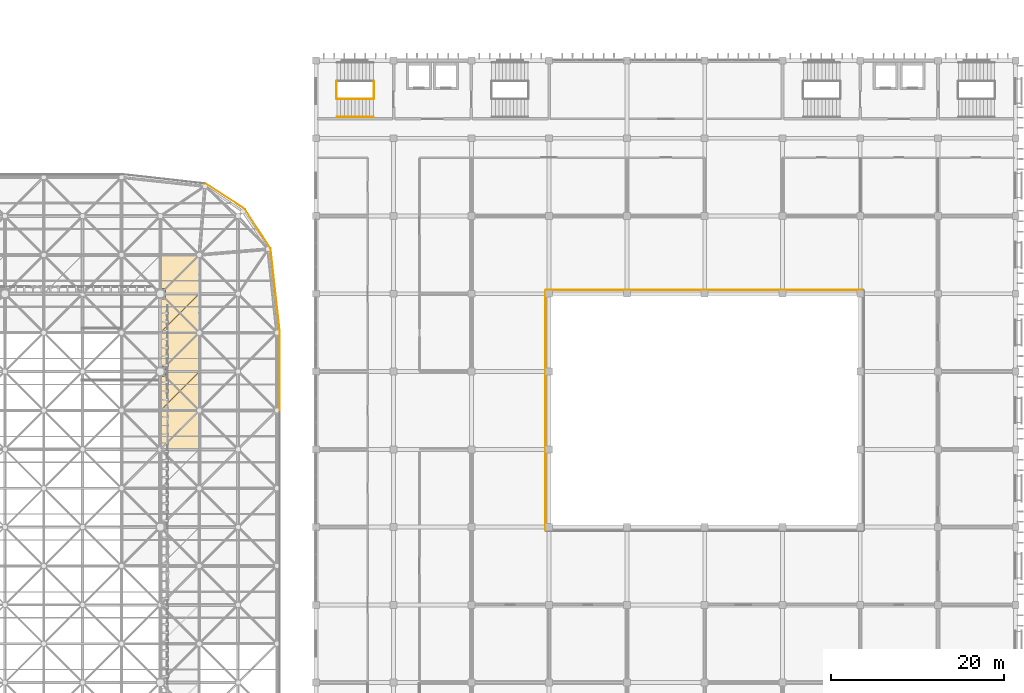
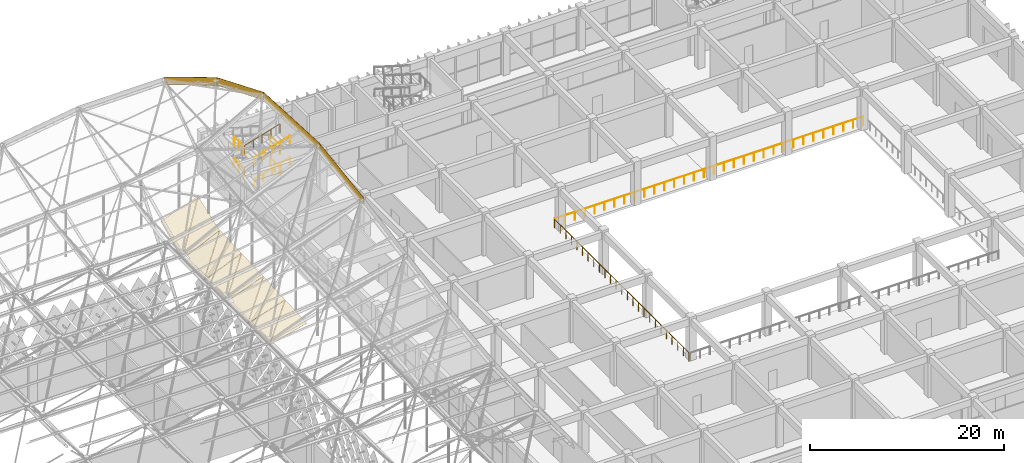
# One storey, part 431 of 437: 14 coverings, 10 railings.
"""IFC4 building model written with IfcOpenShell, lengths in metres."""

import ifcopenshell
import ifcopenshell.guid

model = None  # the IFC model being written
_history = None  # IfcOwnerHistory: only IFC2X3 demands one
_inside = {}  # id of a spatial element -> (the spatial element, [elements in it])
_under = {}  # id of a project, library or spatial element -> (it, [spatial elements below it])
_declared = {}  # id of a project -> (the project, [libraries it declares])
_typed = {}  # id of a type object -> (the type object, [elements of that type])
_made_of = {}  # id of a material, layer set ... -> (it, [elements and type objects made of it])


def new_model(schema):
    """Start an empty IFC model of exactly this schema.

    Asked for "IFC4X3", IfcOpenShell would pick the latest addendum, in which some entities
    have other attributes; the version numbers below select the first issue.
    IFC2X3 requires an IfcOwnerHistory on every rooted entity: one is made here for all.
    """
    global model, _history
    if schema == "IFC4X3":
        model = ifcopenshell.file(schema_version=(4, 3, 0, 0))
    else:
        model = ifcopenshell.file(schema=schema)
    _inside.clear()
    _under.clear()
    _declared.clear()
    _typed.clear()
    _made_of.clear()
    _history = None
    if model.schema == "IFC2X3":
        org = make("IfcOrganization", Name="unknown")
        user = make(
            "IfcPersonAndOrganization",
            ThePerson=make("IfcPerson", FamilyName="unknown"),
            TheOrganization=org,
        )
        app = make(
            "IfcApplication",
            ApplicationDeveloper=org,
            Version="unknown",
            ApplicationFullName="unknown",
            ApplicationIdentifier="unknown",
        )
        _history = make(
            "IfcOwnerHistory",
            OwningUser=user,
            OwningApplication=app,
            ChangeAction="ADDED",
            CreationDate=0,
        )
    return model


def make(cls, **values):
    """One entity of the class cls with the attributes given. An attribute that is None is left unset."""
    return model.create_entity(
        cls, **{name: value for name, value in values.items() if value is not None}
    )


def rooted(cls, **values):
    """An entity with a GlobalId (a new one), such as an element, a storey or a relation."""
    return make(cls, GlobalId=ifcopenshell.guid.new(), OwnerHistory=_history, **values)


def si_unit(unit_type, name, prefix=None):
    """IfcSIUnit, for example si_unit("LENGTHUNIT", "METRE", prefix="MILLI")."""
    return make("IfcSIUnit", UnitType=unit_type, Prefix=prefix, Name=name)


def assignment(units):
    """IfcUnitAssignment: the units of a project."""
    return None if units is None else make("IfcUnitAssignment", Units=units)


def point(xyz):
    """IfcCartesianPoint."""
    return None if xyz is None else make("IfcCartesianPoint", Coordinates=xyz)


def direction(xyz):
    """IfcDirection."""
    return None if xyz is None else make("IfcDirection", DirectionRatios=xyz)


def frame(location, z_axis=None, x_axis=None):
    """IfcAxis2Placement3D, a coordinate frame: its origin and axes. An axis left out is left unset."""
    return make(
        "IfcAxis2Placement3D",
        Location=point(location),
        Axis=direction(z_axis),
        RefDirection=direction(x_axis),
    )


def frame_2d(location, x_axis=None):
    """IfcAxis2Placement2D, a coordinate frame in the plane: its origin and x axis."""
    return make(
        "IfcAxis2Placement2D", Location=point(location), RefDirection=direction(x_axis)
    )


def origin():
    """The frame at (0, 0, 0) with its axes left unset."""
    return frame((0.0, 0.0, 0.0))


def origin_2d():
    """The frame at (0, 0) in the plane with its x axis left unset."""
    return frame_2d((0.0, 0.0))


def place(relative_to, where):
    """IfcLocalPlacement: puts the frame where relative to a parent placement (None: the world)."""
    return make(
        "IfcLocalPlacement", PlacementRelTo=relative_to, RelativePlacement=where
    )


def context(
    kind, dimensions, precision=None, world=None, true_north=None, identifier=None
):
    """IfcGeometricRepresentationContext, for example the 3D "Model" context."""
    return make(
        "IfcGeometricRepresentationContext",
        ContextIdentifier=identifier,
        ContextType=kind,
        CoordinateSpaceDimension=dimensions,
        Precision=precision,
        WorldCoordinateSystem=world,
        TrueNorth=true_north,
    )


def subcontext(parent, identifier, kind, view, scale=None):
    """IfcGeometricRepresentationSubContext, for example "Body" below "Model"."""
    return make(
        "IfcGeometricRepresentationSubContext",
        ContextIdentifier=identifier,
        ContextType=kind,
        ParentContext=parent,
        TargetScale=scale,
        TargetView=view,
    )


def project(units=None, contexts=None):
    """IfcProject with its units and contexts."""
    return rooted(
        "IfcProject",
        Name="project",
        RepresentationContexts=contexts,
        UnitsInContext=assignment(units),
    )


def spatial(cls, under=None, at=None, **own):
    """A site, building, storey or space (cls), placed at a placement, below another one or the project."""
    s = rooted(cls, ObjectPlacement=at, **own)
    if under is not None:
        _under.setdefault(under.id(), (under, []))[1].append(s)
    return s


def polyline(points):
    """IfcPolyline through the points."""
    return make("IfcPolyline", Points=[point(p) for p in points])


def profile(cls, at=None, kind="AREA", **sizes):
    """A parametric profile (cls). Its sizes go by their IFC names, for example OverallWidth=200.0."""
    return make(cls, ProfileType=kind, Position=at, **sizes)


def circle(**sizes):
    """IfcCircleProfileDef."""
    return profile("IfcCircleProfileDef", **sizes)


def outline(outer, holes=None, kind="AREA"):
    """IfcArbitraryClosedProfileDef: a profile drawn as a closed curve; with holes, ...WithVoids."""
    if holes is None:
        return make("IfcArbitraryClosedProfileDef", ProfileType=kind, OuterCurve=outer)
    return make(
        "IfcArbitraryProfileDefWithVoids",
        ProfileType=kind,
        OuterCurve=outer,
        InnerCurves=holes,
    )


def extrude(swept, where, along, depth):
    """IfcExtrudedAreaSolid: the profile swept, set in the frame where, extruded along a direction by depth."""
    return make(
        "IfcExtrudedAreaSolid",
        SweptArea=swept,
        Position=where,
        ExtrudedDirection=direction(along),
        Depth=depth,
    )


def shape(context_of_items, identifier, shape_type, items):
    """IfcShapeRepresentation: the items that make up one representation, for example the "Body"."""
    return make(
        "IfcShapeRepresentation",
        ContextOfItems=context_of_items,
        RepresentationIdentifier=identifier,
        RepresentationType=shape_type,
        Items=items,
    )


def material(Name=None, Category=None):
    """IfcMaterial."""
    return make("IfcMaterial", Name=Name, Category=Category)


def layer(
    of_material, thickness, ventilated=None, Name=None, Category=None, Priority=None
):
    """IfcMaterialLayer: one layer of a wall or slab, of a material (None: an air gap)."""
    return make(
        "IfcMaterialLayer",
        Material=of_material,
        LayerThickness=thickness,
        IsVentilated=ventilated,
        Name=Name,
        Category=Category,
        Priority=Priority,
    )


def layer_set(layers, Name=None):
    """IfcMaterialLayerSet."""
    return make("IfcMaterialLayerSet", MaterialLayers=layers, LayerSetName=Name)


def constituent(of_material, Name=None, Category=None, fraction=None):
    """IfcMaterialConstituent: one of the materials an element consists of."""
    return make(
        "IfcMaterialConstituent",
        Name=Name,
        Material=of_material,
        Fraction=fraction,
        Category=Category,
    )


def constituent_set(constituents=None, Name=None):
    """IfcMaterialConstituentSet."""
    return make(
        "IfcMaterialConstituentSet", Name=Name, MaterialConstituents=constituents
    )


def made_of(thing, what):
    """Note that an element or type object is made of a material, layer set ...; save() writes the relation."""
    if what is not None:
        _made_of.setdefault(what.id(), (what, []))[1].append(thing)
    return thing


def type_object(cls, material=None, **own):
    """A type object (cls), such as IfcWallType, which elements share."""
    return made_of(rooted(cls, **own), material)


def element(
    cls,
    number,
    at=None,
    inside=None,
    cuts=None,
    type_object=None,
    material=None,
    context=None,
    identifier="Body",
    shape_type=None,
    held_by="IfcProductDefinitionShape",
    body=None,
    shapes=None,
    **own,
):
    """One element of the class cls, such as IfcWall. Its Tag is "e" and its number.

    at: its placement. inside: the storey or other place that contains it. cuts: it is an
    opening in that element (IfcRelVoidsElement). A single representation is given by context,
    identifier, shape_type and body (its items); several are given by shapes. held_by: the class
    of the entity that holds the representations. save() writes the other relations.
    """
    e = rooted(cls, Tag="e%d" % number, ObjectPlacement=at, **own)
    if body is not None:
        shapes = [shape(context, identifier, shape_type, body)]
    if shapes is not None:
        e.Representation = make(held_by, Representations=shapes)
    if inside is not None:
        _inside.setdefault(inside.id(), (inside, []))[1].append(e)
    if cuts is not None:
        rooted(
            "IfcRelVoidsElement", RelatingBuildingElement=cuts, RelatedOpeningElement=e
        )
    if type_object is not None:
        _typed.setdefault(type_object.id(), (type_object, []))[1].append(e)
    return made_of(e, material)


def aggregate(whole, parts):
    """IfcRelAggregates: a whole, such as a stair, and the parts it consists of."""
    return rooted("IfcRelAggregates", RelatingObject=whole, RelatedObjects=parts)


def save(model, path):
    """Write the relations noted so far, then the file.

    IfcRelAggregates (storeys below a building ...), IfcRelContainedInSpatialStructure (elements
    in a storey), IfcRelDefinesByType, IfcRelAssociatesMaterial and IfcRelDeclares: one each for
    every whole, place, type object, material and project.
    """
    for whole, parts in _under.values():
        aggregate(whole, parts)
    for where, things in _inside.values():
        rooted(
            "IfcRelContainedInSpatialStructure",
            RelatedElements=things,
            RelatingStructure=where,
        )
    for kind, things in _typed.values():
        rooted("IfcRelDefinesByType", RelatedObjects=things, RelatingType=kind)
    for what, things in _made_of.values():
        rooted("IfcRelAssociatesMaterial", RelatedObjects=things, RelatingMaterial=what)
    for by, libraries in _declared.values():
        rooted("IfcRelDeclares", RelatingContext=by, RelatedDefinitions=libraries)
    model.write(path)


model = new_model("IFC4")

# Units and contexts
model_context = context("Model", 3, precision=1e-05, world=origin(), true_north=direction((0.0, 1.0)))
body_context = subcontext(model_context, "Body", "Model", "MODEL_VIEW")
ifc_project = project(units=[si_unit("LENGTHUNIT", "METRE"), si_unit("AREAUNIT", "SQUARE_METRE"), si_unit("VOLUMEUNIT", "CUBIC_METRE"), si_unit("PLANEANGLEUNIT", "RADIAN"), si_unit("MASSUNIT", "GRAM", prefix="KILO")], contexts=[model_context])

# Site, building, storey
site_placement = place(None, origin())
site = spatial("IfcSite", under=ifc_project, at=site_placement, CompositionType="ELEMENT")
building_placement = place(site_placement, origin())
building = spatial("IfcBuilding", under=site, at=building_placement, Name="Opaline Strait Convention Centre", CompositionType="ELEMENT")
storey_placement = place(building_placement, frame((0.0, 0.0, 11.5)))
storey = spatial("IfcBuildingStorey", under=building, at=storey_placement, Name="L02", CompositionType="ELEMENT", Elevation=11.5)

# Coverings
ifc_material_1 = material(Name="White aluminium fascia plate", Category="aluminium")
ifc_layer_1 = layer(ifc_material_1, 0.02001953125)
ifc_layer_set_1 = layer_set([ifc_layer_1], Name="White aluminium fascia plate")
covering_type_1 = type_object("IfcCoveringType", Name="Edge fascia plate 20 aluminium", PredefinedType="CLADDING", material=ifc_layer_set_1)
covering_1_placement = place(storey_placement, frame((274.800048828125, 144.008056640625, 23.124267578125), z_axis=(1.0, 0.0, 0.0), x_axis=(0.0, 1.0, 0.0)))
element("IfcCovering", 1, at=covering_1_placement, inside=storey, type_object=covering_type_1, Name="Edge fascia plate E", PredefinedType="CLADDING", context=body_context, shape_type="SweptSolid", body=[
    extrude(outline(polyline([(-4.508056640625, -0.17236328125), (4.508056640625, 1.17236328125), (4.508056640625, 0.17236328125), (-4.508056640625, -1.17236328125), (-4.508056640625, -0.17236328125)])), origin(), (0.0, 0.0, 1.0), 0.02001953125),
])
covering_2_placement = place(storey_placement, frame((274.281494140625, 153.3935546875, 24.2626953125), z_axis=(0.993883734674, 0.110431526075, 0.0), x_axis=(-0.110431526075, 0.993883734674, 0.0)))
element("IfcCovering", 2, at=covering_2_placement, inside=storey, type_object=covering_type_1, Name="Edge fascia plate E", PredefinedType="CLADDING", context=body_context, shape_type="SweptSolid", body=[
    extrude(outline(polyline([(-4.9052734375, 0.0341796875), (4.9052734375, 0.9658203125), (4.9052734375, -0.0341796875), (-4.9052734375, -0.9658203125), (-4.9052734375, 0.0341796875)])), origin(), (0.0, 0.0, 1.0), 0.019775390625),
])
covering_3_placement = place(storey_placement, frame((272.262451171875, 160.516845703125, 24.8037109375), z_axis=(0.837610596839, 0.546267780547, 0.0), x_axis=(-0.546267780547, 0.837610596839, 0.0)))
element("IfcCovering", 3, at=covering_3_placement, inside=storey, type_object=covering_type_1, Name="Edge fascia plate E", PredefinedType="CLADDING", context=body_context, shape_type="SweptSolid", body=[
    extrude(outline(polyline([(-2.700439453125, 0.4248046875), (2.700439453125, 0.5751953125), (2.700439453125, -0.4248046875), (-2.700439453125, -0.5751953125), (-2.700439453125, 0.4248046875)])), origin(), (0.0, 0.0, 1.0), 0.02001953125),
])
covering_4_placement = place(storey_placement, frame((268.516845703125, 164.262451171875, 24.8037109375), z_axis=(0.546267780547, 0.837610596839, 0.0), x_axis=(-0.837610596839, 0.546267780547, 0.0)))
element("IfcCovering", 4, at=covering_4_placement, inside=storey, type_object=covering_type_1, Name="Edge fascia plate N", PredefinedType="CLADDING", context=body_context, shape_type="SweptSolid", body=[
    extrude(outline(polyline([(-2.700439453125, 0.5751953125), (2.700439453125, 0.4248046875), (2.700439453125, -0.5751953125), (-2.700439453125, -0.4248046875), (-2.700439453125, 0.5751953125)])), origin(), (0.0, 0.0, 1.0), 0.02001953125),
])

# Railings
ifc_material_2 = material(Name="Steel Q235B", Category="steel")
ifc_constituent_1 = constituent(ifc_material_2, Name="Frame")
ifc_material_3 = material(Name="Safety glass, bonded interlayer", Category="glass")
ifc_constituent_2 = constituent(ifc_material_3, Name="Infill")
ifc_constituent_set = constituent_set(constituents=[ifc_constituent_1, ifc_constituent_2], Name="Steel Q235B, Safety glass, bonded interlayer")
railing_type_1 = type_object("IfcRailingType", Name="Guard 1100 steel and glass", PredefinedType="GUARDRAIL", material=ifc_constituent_set)
railing_1_placement = place(storey_placement, frame((281.400146484375, 177.60009765625, 1.375)))
element("IfcRailing", 5, at=railing_1_placement, inside=storey, type_object=railing_type_1, Name="L02 S5 stair guard 2", PredefinedType="GUARDRAIL", context=body_context, shape_type="SweptSolid", body=[
    extrude(circle(Radius=0.02392578125, at=origin_2d()), frame((0.0, 0.0, 1.076171875), z_axis=(0.0, -1.0, 0.0), x_axis=(1.0, 0.0, 0.0)), (0.0, 0.0, 1.0), 2.0),
    extrude(circle(Radius=0.02099609375, at=origin_2d()), origin(), (0.0, 0.0, 1.0), 1.052001953125),
    extrude(circle(Radius=0.02099609375, at=origin_2d()), frame((0.0, -1.0, 0.0)), (0.0, 0.0, 1.0), 1.052001953125),
    extrude(circle(Radius=0.02099609375, at=origin_2d()), frame((0.0, -2.0, 0.0)), (0.0, 0.0, 1.0), 1.052001953125),
])
railing_2_placement = place(storey_placement, frame((281.4501953125, 175.550048828125, 1.5)))
element("IfcRailing", 6, at=railing_2_placement, inside=storey, type_object=railing_type_1, Name="L02 S5 stair guard 3", PredefinedType="GUARDRAIL", context=body_context, shape_type="SweptSolid", body=[
    extrude(circle(Radius=0.02392578125, at=origin_2d()), frame((0.0, 0.0, 1.076171875), z_axis=(0.958451171748, 0.0, 0.285256641246), x_axis=(0.0, 1.0, 0.0)), (0.0, 0.0, 1.0), 4.382080078125),
    extrude(circle(Radius=0.02099609375, at=origin_2d()), origin(), (0.0, 0.0, 1.0), 1.052001953125),
    extrude(circle(Radius=0.02099609375, at=origin_2d()), frame((1.050048828125, 0.0, 0.3125)), (0.0, 0.0, 1.0), 1.052001953125),
    extrude(circle(Radius=0.02099609375, at=origin_2d()), frame((2.10009765625, 0.0, 0.625)), (0.0, 0.0, 1.0), 1.052001953125),
    extrude(circle(Radius=0.02099609375, at=origin_2d()), frame((3.14990234375, 0.0, 0.9375)), (0.0, 0.0, 1.0), 1.052001953125),
    extrude(circle(Radius=0.02099609375, at=origin_2d()), frame((4.199951171875, 0.0, 1.25)), (0.0, 0.0, 1.0), 1.052001953125),
])
for number, where, name in (
    (7, (285.7001953125, 177.60009765625, 2.75), "L02 S5 stair guard 4"),
    (8, (281.400146484375, 177.60009765625, 4.125), "L02 S5 stair guard 6"),
):
    element("IfcRailing", number, at=place(storey_placement, frame(where)), inside=storey, type_object=railing_type_1, Name=name, PredefinedType="GUARDRAIL", context=body_context, shape_type="SweptSolid", body=[
        extrude(circle(Radius=0.02392578125, at=origin_2d()), frame((0.0, 0.0, 1.076171875), z_axis=(0.0, -1.0, 0.0), x_axis=(1.0, 0.0, 0.0)), (0.0, 0.0, 1.0), 2.0),
        extrude(circle(Radius=0.02099609375, at=origin_2d()), origin(), (0.0, 0.0, 1.0), 1.052001953125),
        extrude(circle(Radius=0.02099609375, at=origin_2d()), frame((0.0, -1.0, 0.0)), (0.0, 0.0, 1.0), 1.052001953125),
        extrude(circle(Radius=0.02099609375, at=origin_2d()), frame((0.0, -2.0, 0.0)), (0.0, 0.0, 1.0), 1.052001953125),
    ])
railing_3_placement = place(storey_placement, frame((281.4501953125, 175.550048828125, 4.25)))
element("IfcRailing", 9, at=railing_3_placement, inside=storey, type_object=railing_type_1, Name="L02 S5 stair guard 7", PredefinedType="GUARDRAIL", context=body_context, shape_type="SweptSolid", body=[
    extrude(circle(Radius=0.02392578125, at=origin_2d()), frame((0.0, 0.0, 1.076171875), z_axis=(0.958451171748, 0.0, 0.285256641246), x_axis=(0.0, 1.0, 0.0)), (0.0, 0.0, 1.0), 4.382080078125),
    extrude(circle(Radius=0.02099609375, at=origin_2d()), origin(), (0.0, 0.0, 1.0), 1.052001953125),
    extrude(circle(Radius=0.02099609375, at=origin_2d()), frame((1.050048828125, 0.0, 0.3125)), (0.0, 0.0, 1.0), 1.052001953125),
    extrude(circle(Radius=0.02099609375, at=origin_2d()), frame((2.10009765625, 0.0, 0.625)), (0.0, 0.0, 1.0), 1.052001953125),
    extrude(circle(Radius=0.02099609375, at=origin_2d()), frame((3.14990234375, 0.0, 0.9375)), (0.0, 0.0, 1.0), 1.052001953125),
    extrude(circle(Radius=0.02099609375, at=origin_2d()), frame((4.199951171875, 0.0, 1.25)), (0.0, 0.0, 1.0), 1.052001953125),
])
railing_4_placement = place(storey_placement, frame((285.7001953125, 177.60009765625, 0.0)))
element("IfcRailing", 10, at=railing_4_placement, inside=storey, type_object=railing_type_1, Name="L02 S5 stair guard 8", PredefinedType="GUARDRAIL", context=body_context, shape_type="SweptSolid", body=[
    extrude(circle(Radius=0.02392578125, at=origin_2d()), frame((0.0, 0.0, 1.076171875), z_axis=(0.0, -1.0, 0.0), x_axis=(1.0, 0.0, 0.0)), (0.0, 0.0, 1.0), 2.0),
    extrude(circle(Radius=0.02099609375, at=origin_2d()), origin(), (0.0, 0.0, 1.0), 1.052001953125),
    extrude(circle(Radius=0.02099609375, at=origin_2d()), frame((0.0, -1.0, 0.0)), (0.0, 0.0, 1.0), 1.052001953125),
    extrude(circle(Radius=0.02099609375, at=origin_2d()), frame((0.0, -2.0, 0.0)), (0.0, 0.0, 1.0), 1.052001953125),
])
railing_5_placement = place(storey_placement, frame((342.35009765625, 153.449951171875, 0.0)))
element("IfcRailing", 11, at=railing_5_placement, inside=storey, type_object=railing_type_1, Name="Atrium edge guard L02 N", PredefinedType="GUARDRAIL", context=body_context, shape_type="SweptSolid", body=[
    extrude(circle(Radius=0.02392578125, at=origin_2d()), frame((0.0, 0.0, 1.076171875), z_axis=(-1.0, 0.0, 0.0), x_axis=(0.0, -1.0, 0.0)), (0.0, 0.0, 1.0), 36.7001953125),
    extrude(circle(Radius=0.02099609375, at=origin_2d()), origin(), (0.0, 0.0, 1.0), 1.052001953125),
    extrude(circle(Radius=0.02099609375, at=origin_2d()), frame((-1.183837890625, 0.0, 0.0)), (0.0, 0.0, 1.0), 1.052001953125),
    extrude(circle(Radius=0.02099609375, at=origin_2d()), frame((-2.36767578125, 0.0, 0.0)), (0.0, 0.0, 1.0), 1.052001953125),
    extrude(circle(Radius=0.02099609375, at=origin_2d()), frame((-3.551513671875, 0.0, 0.0)), (0.0, 0.0, 1.0), 1.052001953125),
    extrude(circle(Radius=0.02099609375, at=origin_2d()), frame((-4.735595703125, 0.0, 0.0)), (0.0, 0.0, 1.0), 1.052001953125),
    extrude(circle(Radius=0.02099609375, at=origin_2d()), frame((-5.91943359375, 0.0, 0.0)), (0.0, 0.0, 1.0), 1.052001953125),
    extrude(circle(Radius=0.02099609375, at=origin_2d()), frame((-7.103271484375, 0.0, 0.0)), (0.0, 0.0, 1.0), 1.052001953125),
    extrude(circle(Radius=0.02099609375, at=origin_2d()), frame((-8.287109375, 0.0, 0.0)), (0.0, 0.0, 1.0), 1.052001953125),
    extrude(circle(Radius=0.02099609375, at=origin_2d()), frame((-9.470947265625, 0.0, 0.0)), (0.0, 0.0, 1.0), 1.052001953125),
    extrude(circle(Radius=0.02099609375, at=origin_2d()), frame((-10.65478515625, 0.0, 0.0)), (0.0, 0.0, 1.0), 1.052001953125),
    extrude(circle(Radius=0.02099609375, at=origin_2d()), frame((-11.8388671875, 0.0, 0.0)), (0.0, 0.0, 1.0), 1.052001953125),
    extrude(circle(Radius=0.02099609375, at=origin_2d()), frame((-13.022705078125, 0.0, 0.0)), (0.0, 0.0, 1.0), 1.052001953125),
    extrude(circle(Radius=0.02099609375, at=origin_2d()), frame((-14.20654296875, 0.0, 0.0)), (0.0, 0.0, 1.0), 1.052001953125),
    extrude(circle(Radius=0.02099609375, at=origin_2d()), frame((-15.390380859375, 0.0, 0.0)), (0.0, 0.0, 1.0), 1.052001953125),
    extrude(circle(Radius=0.02099609375, at=origin_2d()), frame((-16.57421875, 0.0, 0.0)), (0.0, 0.0, 1.0), 1.052001953125),
    extrude(circle(Radius=0.02099609375, at=origin_2d()), frame((-17.758056640625, 0.0, 0.0)), (0.0, 0.0, 1.0), 1.052001953125),
    extrude(circle(Radius=0.02099609375, at=origin_2d()), frame((-18.942138671875, 0.0, 0.0)), (0.0, 0.0, 1.0), 1.052001953125),
    extrude(circle(Radius=0.02099609375, at=origin_2d()), frame((-20.1259765625, 0.0, 0.0)), (0.0, 0.0, 1.0), 1.052001953125),
    extrude(circle(Radius=0.02099609375, at=origin_2d()), frame((-21.309814453125, 0.0, 0.0)), (0.0, 0.0, 1.0), 1.052001953125),
    extrude(circle(Radius=0.02099609375, at=origin_2d()), frame((-22.49365234375, 0.0, 0.0)), (0.0, 0.0, 1.0), 1.052001953125),
    extrude(circle(Radius=0.02099609375, at=origin_2d()), frame((-23.677490234375, 0.0, 0.0)), (0.0, 0.0, 1.0), 1.052001953125),
    extrude(circle(Radius=0.02099609375, at=origin_2d()), frame((-24.861328125, 0.0, 0.0)), (0.0, 0.0, 1.0), 1.052001953125),
    extrude(circle(Radius=0.02099609375, at=origin_2d()), frame((-26.04541015625, 0.0, 0.0)), (0.0, 0.0, 1.0), 1.052001953125),
    extrude(circle(Radius=0.02099609375, at=origin_2d()), frame((-27.229248046875, 0.0, 0.0)), (0.0, 0.0, 1.0), 1.052001953125),
    extrude(circle(Radius=0.02099609375, at=origin_2d()), frame((-28.4130859375, 0.0, 0.0)), (0.0, 0.0, 1.0), 1.052001953125),
    extrude(circle(Radius=0.02099609375, at=origin_2d()), frame((-29.596923828125, 0.0, 0.0)), (0.0, 0.0, 1.0), 1.052001953125),
    extrude(circle(Radius=0.02099609375, at=origin_2d()), frame((-30.78076171875, 0.0, 0.0)), (0.0, 0.0, 1.0), 1.052001953125),
    extrude(circle(Radius=0.02099609375, at=origin_2d()), frame((-31.964599609375, 0.0, 0.0)), (0.0, 0.0, 1.0), 1.052001953125),
    extrude(circle(Radius=0.02099609375, at=origin_2d()), frame((-33.148681640625, 0.0, 0.0)), (0.0, 0.0, 1.0), 1.052001953125),
    extrude(circle(Radius=0.02099609375, at=origin_2d()), frame((-34.33251953125, 0.0, 0.0)), (0.0, 0.0, 1.0), 1.052001953125),
    extrude(circle(Radius=0.02099609375, at=origin_2d()), frame((-35.516357421875, 0.0, 0.0)), (0.0, 0.0, 1.0), 1.052001953125),
    extrude(circle(Radius=0.02099609375, at=origin_2d()), frame((-36.7001953125, 0.0, 0.0)), (0.0, 0.0, 1.0), 1.052001953125),
])
railing_6_placement = place(storey_placement, frame((305.550048828125, 153.35009765625, 0.0)))
element("IfcRailing", 12, at=railing_6_placement, inside=storey, type_object=railing_type_1, Name="Atrium edge guard L02 W", PredefinedType="GUARDRAIL", context=body_context, shape_type="SweptSolid", body=[
    extrude(circle(Radius=0.02392578125, at=origin_2d()), frame((0.0, 0.0, 1.076171875), z_axis=(0.0, -1.0, 0.0), x_axis=(1.0, 0.0, 0.0)), (0.0, 0.0, 1.0), 27.7001953125),
    extrude(circle(Radius=0.02099609375, at=origin_2d()), origin(), (0.0, 0.0, 1.0), 1.052001953125),
    extrude(circle(Radius=0.02099609375, at=origin_2d()), frame((0.0, -1.154296875, 0.0)), (0.0, 0.0, 1.0), 1.052001953125),
    extrude(circle(Radius=0.02099609375, at=origin_2d()), frame((0.0, -2.308349609375, 0.0)), (0.0, 0.0, 1.0), 1.052001953125),
    extrude(circle(Radius=0.02099609375, at=origin_2d()), frame((0.0, -3.46240234375, 0.0)), (0.0, 0.0, 1.0), 1.052001953125),
    extrude(circle(Radius=0.02099609375, at=origin_2d()), frame((0.0, -4.61669921875, 0.0)), (0.0, 0.0, 1.0), 1.052001953125),
    extrude(circle(Radius=0.02099609375, at=origin_2d()), frame((0.0, -5.77099609375, 0.0)), (0.0, 0.0, 1.0), 1.052001953125),
    extrude(circle(Radius=0.02099609375, at=origin_2d()), frame((0.0, -6.925048828125, 0.0)), (0.0, 0.0, 1.0), 1.052001953125),
    extrude(circle(Radius=0.02099609375, at=origin_2d()), frame((0.0, -8.0791015625, 0.0)), (0.0, 0.0, 1.0), 1.052001953125),
    extrude(circle(Radius=0.02099609375, at=origin_2d()), frame((0.0, -9.2333984375, 0.0)), (0.0, 0.0, 1.0), 1.052001953125),
    extrude(circle(Radius=0.02099609375, at=origin_2d()), frame((0.0, -10.3876953125, 0.0)), (0.0, 0.0, 1.0), 1.052001953125),
    extrude(circle(Radius=0.02099609375, at=origin_2d()), frame((0.0, -11.541748046875, 0.0)), (0.0, 0.0, 1.0), 1.052001953125),
    extrude(circle(Radius=0.02099609375, at=origin_2d()), frame((0.0, -12.69580078125, 0.0)), (0.0, 0.0, 1.0), 1.052001953125),
    extrude(circle(Radius=0.02099609375, at=origin_2d()), frame((0.0, -13.85009765625, 0.0)), (0.0, 0.0, 1.0), 1.052001953125),
    extrude(circle(Radius=0.02099609375, at=origin_2d()), frame((0.0, -15.004150390625, 0.0)), (0.0, 0.0, 1.0), 1.052001953125),
    extrude(circle(Radius=0.02099609375, at=origin_2d()), frame((0.0, -16.158447265625, 0.0)), (0.0, 0.0, 1.0), 1.052001953125),
    extrude(circle(Radius=0.02099609375, at=origin_2d()), frame((0.0, -17.3125, 0.0)), (0.0, 0.0, 1.0), 1.052001953125),
    extrude(circle(Radius=0.02099609375, at=origin_2d()), frame((0.0, -18.466796875, 0.0)), (0.0, 0.0, 1.0), 1.052001953125),
    extrude(circle(Radius=0.02099609375, at=origin_2d()), frame((0.0, -19.62109375, 0.0)), (0.0, 0.0, 1.0), 1.052001953125),
    extrude(circle(Radius=0.02099609375, at=origin_2d()), frame((0.0, -20.775146484375, 0.0)), (0.0, 0.0, 1.0), 1.052001953125),
    extrude(circle(Radius=0.02099609375, at=origin_2d()), frame((0.0, -21.92919921875, 0.0)), (0.0, 0.0, 1.0), 1.052001953125),
    extrude(circle(Radius=0.02099609375, at=origin_2d()), frame((0.0, -23.08349609375, 0.0)), (0.0, 0.0, 1.0), 1.052001953125),
    extrude(circle(Radius=0.02099609375, at=origin_2d()), frame((0.0, -24.23779296875, 0.0)), (0.0, 0.0, 1.0), 1.052001953125),
    extrude(circle(Radius=0.02099609375, at=origin_2d()), frame((0.0, -25.391845703125, 0.0)), (0.0, 0.0, 1.0), 1.052001953125),
    extrude(circle(Radius=0.02099609375, at=origin_2d()), frame((0.0, -26.5458984375, 0.0)), (0.0, 0.0, 1.0), 1.052001953125),
    extrude(circle(Radius=0.02099609375, at=origin_2d()), frame((0.0, -27.7001953125, 0.0)), (0.0, 0.0, 1.0), 1.052001953125),
])

# Coverings
ifc_material_4 = material(Name="White aluminium soffit panel", Category="aluminium")
ifc_layer_2 = layer(ifc_material_4, 0.011962890625)
ifc_layer_set_2 = layer_set([ifc_layer_2], Name="White aluminium soffit panel")
covering_type_2 = type_object("IfcCoveringType", Name="Soffit lining panel 12 aluminium", PredefinedType="CEILING", material=ifc_layer_set_2)
covering_5_placement = place(storey_placement, frame((261.04833984375, 135.02001953125, 11.94921875), z_axis=(-0.258413756307, -0.053085614343, 0.964574646205), x_axis=(0.689361784961, 0.689361784961, 0.222622233552)))
element("IfcCovering", 13, at=covering_5_placement, inside=storey, type_object=covering_type_2, Name="Soffit lining panel", PredefinedType="CEILING", context=body_context, shape_type="SweptSolid", body=[
    extrude(outline(polyline([(0.0, 0.0), (6.428613714427233, -3.3306690738754696e-16), (3.3193132427660634, -3.1672029775763515), (0.0, 0.0)])), origin(), (0.0, 0.0, -1.0), 0.011962890625),
])
covering_6_placement = place(storey_placement, frame((261.02001953125, 135.04833984375, 11.926513671875), z_axis=(-0.307264697163, 0.0, 0.951624088534), x_axis=(0.0, 1.0, 0.0)))
element("IfcCovering", 14, at=covering_6_placement, inside=storey, type_object=covering_type_2, Name="Soffit lining panel", PredefinedType="CEILING", context=body_context, shape_type="SweptSolid", body=[
    extrude(outline(polyline([(0.0, 0.0), (4.431640625, 0.0), (4.431640625, -4.65692354617518), (0.0, 0.0)])), origin(), (0.0, 0.0, -1.0), 0.011962890625),
])
covering_7_placement = place(storey_placement, frame((261.04833984375, 139.52001953125, 11.935302734375), z_axis=(-0.306844161114, -0.052301197228, 0.950321653736), x_axis=(0.683135434977, 0.683135434977, 0.258170399071)))
element("IfcCovering", 15, at=covering_7_placement, inside=storey, type_object=covering_type_2, Name="Soffit lining panel", PredefinedType="CEILING", context=body_context, shape_type="SweptSolid", body=[
    extrude(outline(polyline([(0.0, 0.0), (6.4872064865836325, 3.3306690738754696e-16), (3.396828887857886, -3.185669540541668), (0.0, 0.0)])), origin(), (0.0, 0.0, -1.0), 0.011962890625),
])
covering_8_placement = place(storey_placement, frame((261.02001953125, 139.54833984375, 11.910400390625), z_axis=(-0.353516051038, -3.33951e-06, 0.935428458861), x_axis=(-1.180571e-06, 0.999999999994, 3.123873e-06)))
element("IfcCovering", 16, at=covering_8_placement, inside=storey, type_object=covering_type_2, Name="Soffit lining panel", PredefinedType="CEILING", context=body_context, shape_type="SweptSolid", body=[
    extrude(outline(polyline([(0.0, 0.0), (3.8515624999785234, 0.0), (3.8515625000279465, -0.6201258379151318), (4.431640625024713, -0.6201258379151318), (4.431640624988227, -4.737553099481562), (0.0, 0.0)])), origin(), (0.0, 0.0, -1.0), 0.011962890625),
])
covering_9_placement = place(storey_placement, frame((261.60009765625, 144.02001953125, 12.129638671875), z_axis=(-0.353290131733, -0.039197363691, 0.934692275297), x_axis=(3.2755806e-05, 0.999121320286, 0.041911648465)))
element("IfcCovering", 17, at=covering_9_placement, inside=storey, type_object=covering_type_2, Name="Soffit lining panel", PredefinedType="CEILING", context=body_context, shape_type="SweptSolid", body=[
    extrude(outline(polyline([(0.0, 0.0), (0.5522450660279526, 0.0), (4.497126171363949, -4.147170762686387), (0.06159273134612542, -4.147345403298278), (0.0, 0.0)])), origin(), (0.0, 0.0, -1.0), 0.011962890625),
])
covering_10_placement = place(storey_placement, frame((261.57177734375, 144.60009765625, 12.1298828125), z_axis=(-0.387154153056, 1.500748e-06, 0.922015000837), x_axis=(-0.922015000838, 1.5e-11, -0.387154153056)))
element("IfcCovering", 18, at=covering_10_placement, inside=storey, type_object=covering_type_2, Name="Soffit lining panel", PredefinedType="CEILING", context=body_context, shape_type="SweptSolid", body=[
    extrude(outline(polyline([(0.0, 0.0), (0.5984285139515351, -5.293955920339377e-23), (0.5984285140081904, -3.879882812495631), (-4.20804249424766, -3.879882812574555), (0.0, 0.0)])), origin(), (0.0, 0.0, -1.0), 0.011962890625),
])
covering_11_placement = place(storey_placement, frame((261.04833984375, 148.52001953125, 11.910400390625), z_axis=(-0.386820205724, -0.038676944858, 0.921343704803), x_axis=(0.672174183297, 0.672174183297, 0.310425086965)))
element("IfcCovering", 19, at=covering_11_placement, inside=storey, type_object=covering_type_2, Name="Soffit lining panel", PredefinedType="CEILING", context=body_context, shape_type="SweptSolid", body=[
    extrude(outline(polyline([(0.0, 0.0), (6.5929943980597185, 5.551115123125783e-17), (3.5564100007254638, -3.233141337210223), (0.0, 0.0)])), origin(), (0.0, 0.0, -1.0), 0.011962890625),
])
covering_12_placement = place(storey_placement, frame((261.02001953125, 148.54833984375, 11.885986328125), z_axis=(-0.419273906672, 1.5018569e-05, 0.907859785957), x_axis=(6.296894e-06, 0.999999999887, -1.3634755e-05)))
element("IfcCovering", 20, at=covering_12_placement, inside=storey, type_object=covering_type_2, Name="Soffit lining panel", PredefinedType="CEILING", context=body_context, shape_type="SweptSolid", body=[
    extrude(outline(polyline([(0.0, 0.0), (3.8515624995656257, -3.262400335909141e-21), (3.851562500565215, -0.6389204900754106), (4.431640625499794, -0.6389204900754106), (4.4316406247618865, -4.881407225728341), (0.0, 0.0)])), origin(), (0.0, 0.0, -1.0), 0.011962890625),
])
covering_13_placement = place(storey_placement, frame((261.60009765625, 153.02001953125, 12.123046875), z_axis=(-0.398682623225, -0.309462937548, 0.86329882209), x_axis=(-1.896339e-05, 0.941349648695, 0.337432717058)))
element("IfcCovering", 21, at=covering_13_placement, inside=storey, type_object=covering_type_2, Name="Soffit lining panel", PredefinedType="CEILING", context=body_context, shape_type="SweptSolid", body=[
    extrude(outline(polyline([(0.0, 0.0), (0.5861256608566737, -1.3877787807814457e-17), (5.312297572586867, -4.230760274422503), (0.6045208360101753, -4.2306508081222685), (0.0, 0.0)])), origin(), (0.0, 0.0, -1.0), 0.011962890625),
])
covering_14_placement = place(storey_placement, frame((261.57177734375, 153.60009765625, 12.32080078125), z_axis=(-0.309462937548, -0.398682623225, 0.86329882209), x_axis=(-0.941349648695, 1.896339e-05, -0.337432717058)))
element("IfcCovering", 22, at=covering_14_placement, inside=storey, type_object=covering_type_2, Name="Soffit lining panel", PredefinedType="CEILING", context=body_context, shape_type="SweptSolid", body=[
    extrude(outline(polyline([(0.0, 0.0), (0.5861256608566737, 1.3877787807814457e-17), (-0.01839517515350164, -4.230650808122269), (-4.7261719117301935, -4.230760274422502), (0.0, 0.0)])), origin(), (0.0, 0.0, -1.0), 0.011962890625),
])

# Railings
ifc_material_5 = material(Name="Stainless steel 304", Category="steel")
railing_type_2 = type_object("IfcRailingType", Name="Stair handrail 900 stainless steel", PredefinedType="HANDRAIL", material=ifc_material_5)
for number, where, name in (
    (23, (281.4501953125, 173.449951171875, 1.5), "L02 S5 stair handrail 2"),
    (24, (281.4501953125, 173.449951171875, 4.25), "L02 S5 stair handrail 4"),
):
    element("IfcRailing", number, at=place(storey_placement, frame(where)), inside=storey, type_object=railing_type_2, Name=name, PredefinedType="HANDRAIL", context=body_context, shape_type="SweptSolid", body=[
        extrude(circle(Radius=0.02392578125, at=origin_2d()), frame((0.0, 0.0, 0.8759765625), z_axis=(0.958451171748, 0.0, 0.285256641246), x_axis=(0.0, 1.0, 0.0)), (0.0, 0.0, 1.0), 4.382080078125),
        extrude(circle(Radius=0.02099609375, at=origin_2d()), origin(), (0.0, 0.0, 1.0), 0.851806640625),
        extrude(circle(Radius=0.02099609375, at=origin_2d()), frame((1.050048828125, 0.0, 0.3125)), (0.0, 0.0, 1.0), 0.851806640625),
        extrude(circle(Radius=0.02099609375, at=origin_2d()), frame((2.10009765625, 0.0, 0.625)), (0.0, 0.0, 1.0), 0.851806640625),
        extrude(circle(Radius=0.02099609375, at=origin_2d()), frame((3.14990234375, 0.0, 0.9375)), (0.0, 0.0, 1.0), 0.851806640625),
        extrude(circle(Radius=0.02099609375, at=origin_2d()), frame((4.199951171875, 0.0, 1.25)), (0.0, 0.0, 1.0), 0.851806640625),
    ])

save(model, "model.ifc")
